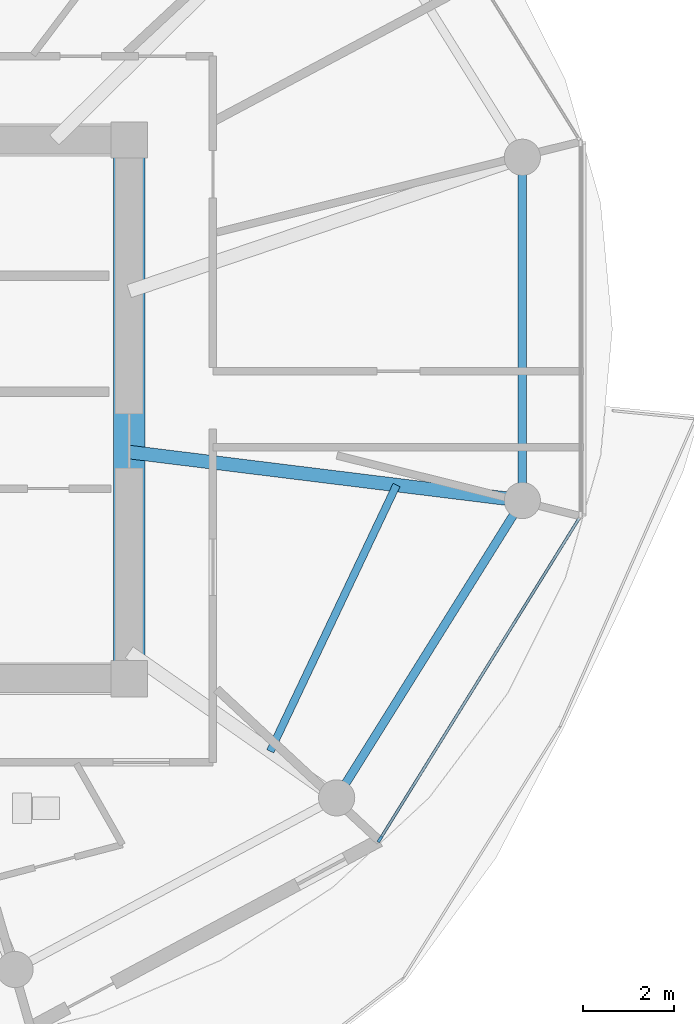
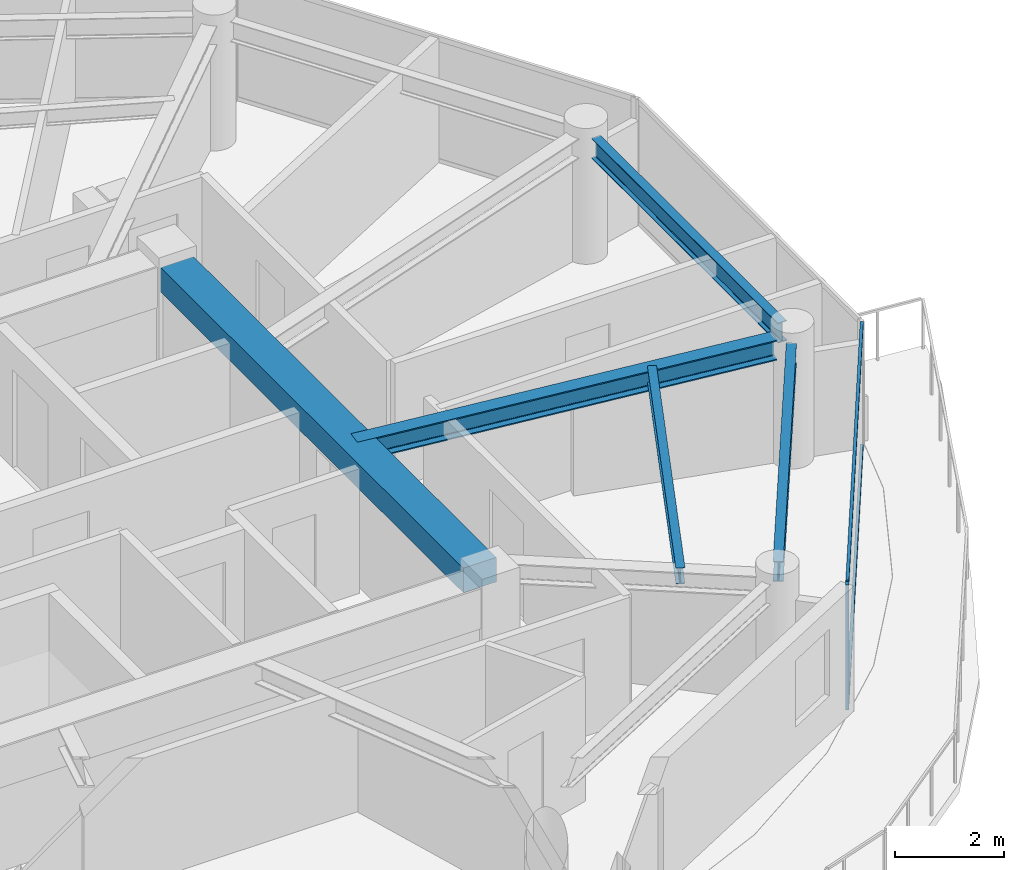
# One storey, part 3 of 23: 5 beams, 3 members, 1 element without a shape of its own.
"""IFC4 building model written with IfcOpenShell, lengths in metres."""

import ifcopenshell
import ifcopenshell.guid

model = None  # the IFC model being written
_history = None  # IfcOwnerHistory: only IFC2X3 demands one
_inside = {}  # id of a spatial element -> (the spatial element, [elements in it])
_under = {}  # id of a project, library or spatial element -> (it, [spatial elements below it])
_declared = {}  # id of a project -> (the project, [libraries it declares])
_typed = {}  # id of a type object -> (the type object, [elements of that type])
_made_of = {}  # id of a material, layer set ... -> (it, [elements and type objects made of it])


def new_model(schema):
    """Start an empty IFC model of exactly this schema.

    Asked for "IFC4X3", IfcOpenShell would pick the latest addendum, in which some entities
    have other attributes; the version numbers below select the first issue.
    IFC2X3 requires an IfcOwnerHistory on every rooted entity: one is made here for all.
    """
    global model, _history
    if schema == "IFC4X3":
        model = ifcopenshell.file(schema_version=(4, 3, 0, 0))
    else:
        model = ifcopenshell.file(schema=schema)
    _inside.clear()
    _under.clear()
    _declared.clear()
    _typed.clear()
    _made_of.clear()
    _history = None
    if model.schema == "IFC2X3":
        org = make("IfcOrganization", Name="unknown")
        user = make(
            "IfcPersonAndOrganization",
            ThePerson=make("IfcPerson", FamilyName="unknown"),
            TheOrganization=org,
        )
        app = make(
            "IfcApplication",
            ApplicationDeveloper=org,
            Version="unknown",
            ApplicationFullName="unknown",
            ApplicationIdentifier="unknown",
        )
        _history = make(
            "IfcOwnerHistory",
            OwningUser=user,
            OwningApplication=app,
            ChangeAction="ADDED",
            CreationDate=0,
        )
    return model


def make(cls, **values):
    """One entity of the class cls with the attributes given. An attribute that is None is left unset."""
    return model.create_entity(
        cls, **{name: value for name, value in values.items() if value is not None}
    )


def rooted(cls, **values):
    """An entity with a GlobalId (a new one), such as an element, a storey or a relation."""
    return make(cls, GlobalId=ifcopenshell.guid.new(), OwnerHistory=_history, **values)


def si_unit(unit_type, name, prefix=None):
    """IfcSIUnit, for example si_unit("LENGTHUNIT", "METRE", prefix="MILLI")."""
    return make("IfcSIUnit", UnitType=unit_type, Prefix=prefix, Name=name)


def assignment(units):
    """IfcUnitAssignment: the units of a project."""
    return None if units is None else make("IfcUnitAssignment", Units=units)


def point(xyz):
    """IfcCartesianPoint."""
    return None if xyz is None else make("IfcCartesianPoint", Coordinates=xyz)


def direction(xyz):
    """IfcDirection."""
    return None if xyz is None else make("IfcDirection", DirectionRatios=xyz)


def frame(location, z_axis=None, x_axis=None):
    """IfcAxis2Placement3D, a coordinate frame: its origin and axes. An axis left out is left unset."""
    return make(
        "IfcAxis2Placement3D",
        Location=point(location),
        Axis=direction(z_axis),
        RefDirection=direction(x_axis),
    )


def frame_2d(location, x_axis=None):
    """IfcAxis2Placement2D, a coordinate frame in the plane: its origin and x axis."""
    return make(
        "IfcAxis2Placement2D", Location=point(location), RefDirection=direction(x_axis)
    )


def origin():
    """The frame at (0, 0, 0) with its axes left unset."""
    return frame((0.0, 0.0, 0.0))


def origin_2d():
    """The frame at (0, 0) in the plane with its x axis left unset."""
    return frame_2d((0.0, 0.0))


def place(relative_to, where):
    """IfcLocalPlacement: puts the frame where relative to a parent placement (None: the world)."""
    return make(
        "IfcLocalPlacement", PlacementRelTo=relative_to, RelativePlacement=where
    )


def context(
    kind, dimensions, precision=None, world=None, true_north=None, identifier=None
):
    """IfcGeometricRepresentationContext, for example the 3D "Model" context."""
    return make(
        "IfcGeometricRepresentationContext",
        ContextIdentifier=identifier,
        ContextType=kind,
        CoordinateSpaceDimension=dimensions,
        Precision=precision,
        WorldCoordinateSystem=world,
        TrueNorth=true_north,
    )


def subcontext(parent, identifier, kind, view, scale=None):
    """IfcGeometricRepresentationSubContext, for example "Body" below "Model"."""
    return make(
        "IfcGeometricRepresentationSubContext",
        ContextIdentifier=identifier,
        ContextType=kind,
        ParentContext=parent,
        TargetScale=scale,
        TargetView=view,
    )


def project(units=None, contexts=None):
    """IfcProject with its units and contexts."""
    return rooted(
        "IfcProject",
        Name="project",
        RepresentationContexts=contexts,
        UnitsInContext=assignment(units),
    )


def spatial(cls, under=None, at=None, **own):
    """A site, building, storey or space (cls), placed at a placement, below another one or the project."""
    s = rooted(cls, ObjectPlacement=at, **own)
    if under is not None:
        _under.setdefault(under.id(), (under, []))[1].append(s)
    return s


def profile(cls, at=None, kind="AREA", **sizes):
    """A parametric profile (cls). Its sizes go by their IFC names, for example OverallWidth=200.0."""
    return make(cls, ProfileType=kind, Position=at, **sizes)


def rectangle(**sizes):
    """IfcRectangleProfileDef."""
    return profile("IfcRectangleProfileDef", **sizes)


def i_section(**sizes):
    """IfcIShapeProfileDef."""
    return profile("IfcIShapeProfileDef", **sizes)


def extrude(swept, where, along, depth):
    """IfcExtrudedAreaSolid: the profile swept, set in the frame where, extruded along a direction by depth."""
    return make(
        "IfcExtrudedAreaSolid",
        SweptArea=swept,
        Position=where,
        ExtrudedDirection=direction(along),
        Depth=depth,
    )


def shape(context_of_items, identifier, shape_type, items):
    """IfcShapeRepresentation: the items that make up one representation, for example the "Body"."""
    return make(
        "IfcShapeRepresentation",
        ContextOfItems=context_of_items,
        RepresentationIdentifier=identifier,
        RepresentationType=shape_type,
        Items=items,
    )


def source(mapping_origin, context_of_items, identifier, shape_type, items):
    """IfcRepresentationMap: a shape defined once, which mapped items show again and again."""
    return make(
        "IfcRepresentationMap",
        MappingOrigin=mapping_origin,
        MappedRepresentation=shape(context_of_items, identifier, shape_type, items),
    )


def transform(
    local_origin,
    x_axis=None,
    y_axis=None,
    z_axis=None,
    scale=None,
    scale2=None,
    scale3=None,
    uniform=True,
):
    """IfcCartesianTransformationOperator3D, or its non-uniform kind. x_axis, y_axis, z_axis: its Axis1, 2, 3."""
    if uniform:
        return make(
            "IfcCartesianTransformationOperator3D",
            Axis1=direction(x_axis),
            Axis2=direction(y_axis),
            LocalOrigin=point(local_origin),
            Scale=scale,
            Axis3=direction(z_axis),
        )
    return make(
        "IfcCartesianTransformationOperator3DnonUniform",
        Axis1=direction(x_axis),
        Axis2=direction(y_axis),
        LocalOrigin=point(local_origin),
        Scale=scale,
        Axis3=direction(z_axis),
        Scale2=scale2,
        Scale3=scale3,
    )


def mapped(mapping_source, mapping_target):
    """IfcMappedItem: shows the shape of a source again, moved by a transform."""
    return make(
        "IfcMappedItem", MappingSource=mapping_source, MappingTarget=mapping_target
    )


def material(Name=None, Category=None):
    """IfcMaterial."""
    return make("IfcMaterial", Name=Name, Category=Category)


def layer(
    of_material, thickness, ventilated=None, Name=None, Category=None, Priority=None
):
    """IfcMaterialLayer: one layer of a wall or slab, of a material (None: an air gap)."""
    return make(
        "IfcMaterialLayer",
        Material=of_material,
        LayerThickness=thickness,
        IsVentilated=ventilated,
        Name=Name,
        Category=Category,
        Priority=Priority,
    )


def layer_set(layers, Name=None):
    """IfcMaterialLayerSet."""
    return make("IfcMaterialLayerSet", MaterialLayers=layers, LayerSetName=Name)


def material_profile(
    of_material, cross_section, Name=None, Category=None, Priority=None
):
    """IfcMaterialProfile: a cross section and its material."""
    return make(
        "IfcMaterialProfile",
        Name=Name,
        Material=of_material,
        Profile=cross_section,
        Priority=Priority,
        Category=Category,
    )


def profile_set(profiles, Name=None, composite=None):
    """IfcMaterialProfileSet."""
    return make(
        "IfcMaterialProfileSet",
        Name=Name,
        MaterialProfiles=profiles,
        CompositeProfile=composite,
    )


def made_of(thing, what):
    """Note that an element or type object is made of a material, layer set ...; save() writes the relation."""
    if what is not None:
        _made_of.setdefault(what.id(), (what, []))[1].append(thing)
    return thing


def type_object(cls, material=None, **own):
    """A type object (cls), such as IfcWallType, which elements share."""
    return made_of(rooted(cls, **own), material)


def type_shapes(of_type, sources):
    """Give a type object the sources (RepresentationMaps) that its elements show as mapped items."""
    of_type.RepresentationMaps = sources


def element(
    cls,
    number,
    at=None,
    inside=None,
    cuts=None,
    type_object=None,
    material=None,
    context=None,
    identifier="Body",
    shape_type=None,
    held_by="IfcProductDefinitionShape",
    body=None,
    shapes=None,
    **own,
):
    """One element of the class cls, such as IfcWall. Its Tag is "e" and its number.

    at: its placement. inside: the storey or other place that contains it. cuts: it is an
    opening in that element (IfcRelVoidsElement). A single representation is given by context,
    identifier, shape_type and body (its items); several are given by shapes. held_by: the class
    of the entity that holds the representations. save() writes the other relations.
    """
    e = rooted(cls, Tag="e%d" % number, ObjectPlacement=at, **own)
    if body is not None:
        shapes = [shape(context, identifier, shape_type, body)]
    if shapes is not None:
        e.Representation = make(held_by, Representations=shapes)
    if inside is not None:
        _inside.setdefault(inside.id(), (inside, []))[1].append(e)
    if cuts is not None:
        rooted(
            "IfcRelVoidsElement", RelatingBuildingElement=cuts, RelatedOpeningElement=e
        )
    if type_object is not None:
        _typed.setdefault(type_object.id(), (type_object, []))[1].append(e)
    return made_of(e, material)


def aggregate(whole, parts):
    """IfcRelAggregates: a whole, such as a stair, and the parts it consists of."""
    return rooted("IfcRelAggregates", RelatingObject=whole, RelatedObjects=parts)


def save(model, path):
    """Write the relations noted so far, then the file.

    IfcRelAggregates (storeys below a building ...), IfcRelContainedInSpatialStructure (elements
    in a storey), IfcRelDefinesByType, IfcRelAssociatesMaterial and IfcRelDeclares: one each for
    every whole, place, type object, material and project.
    """
    for whole, parts in _under.values():
        aggregate(whole, parts)
    for where, things in _inside.values():
        rooted(
            "IfcRelContainedInSpatialStructure",
            RelatedElements=things,
            RelatingStructure=where,
        )
    for kind, things in _typed.values():
        rooted("IfcRelDefinesByType", RelatedObjects=things, RelatingType=kind)
    for what, things in _made_of.values():
        rooted("IfcRelAssociatesMaterial", RelatedObjects=things, RelatingMaterial=what)
    for by, libraries in _declared.values():
        rooted("IfcRelDeclares", RelatingContext=by, RelatedDefinitions=libraries)
    model.write(path)


model = new_model("IFC4")

# Units and contexts
model_context = context("Model", 3, precision=1e-05, world=origin(), true_north=direction((0.0, 1.0)))
body_context = subcontext(model_context, "Body", "Model", "MODEL_VIEW")
ifc_project = project(units=[si_unit("LENGTHUNIT", "METRE"), si_unit("AREAUNIT", "SQUARE_METRE"), si_unit("VOLUMEUNIT", "CUBIC_METRE"), si_unit("PLANEANGLEUNIT", "RADIAN"), si_unit("MASSUNIT", "GRAM", prefix="KILO")], contexts=[model_context])

# Site, building, storey
site_placement = place(None, origin())
site = spatial("IfcSite", under=ifc_project, at=site_placement, CompositionType="ELEMENT")
building_placement = place(site_placement, origin())
building = spatial("IfcBuilding", under=site, at=building_placement, Name="Norrkilde Senior Care Towers", CompositionType="ELEMENT")
storey_placement = place(building_placement, frame((0.0, 0.0, 177.0)))
storey = spatial("IfcBuildingStorey", under=building, at=storey_placement, Name="L55", CompositionType="ELEMENT", Elevation=177.0)

# Beams
ifc_material_1 = material(Name="Concrete C60/75", Category="concrete")
ifc_material_profile_1 = material_profile(ifc_material_1, rectangle(XDim=0.699951171875, YDim=0.550048828125, at=origin_2d()), Name="RC BM 700x550")
ifc_profile_set_1 = profile_set([ifc_material_profile_1], Name="Concrete C60/75")
beam_type_1 = type_object("IfcBeamType", Name="Core Portal Coupling Beam 700x550", PredefinedType="USERDEFINED", material=ifc_profile_set_1)
shared_shape_1 = source(origin(), body_context, "Body", "SweptSolid", [
    extrude(rectangle(XDim=0.699951171875, YDim=0.550048828125, at=origin_2d()), origin(), (0.0, 0.0, 1.0), 11.14013671875),
])
type_shapes(beam_type_1, [shared_shape_1])
beam_1_placement = place(storey_placement, frame((-20.35009765625, -5.570068359375, 2.534912109375), z_axis=(0.0, 1.0, 0.0), x_axis=(-1.0, 0.0, 0.0)))
element("IfcBeam", 1, at=beam_1_placement, inside=storey, type_object=beam_type_1, Name="L55 Core W E Coupling Girder", ObjectType="GIRDER", PredefinedType="USERDEFINED", context=body_context, shape_type="MappedRepresentation", body=[
    mapped(shared_shape_1, transform((0.0, 0.0, 0.0), x_axis=(1.0, 0.0, 0.0), y_axis=(0.0, 1.0, 0.0), z_axis=(0.0, 0.0, 1.0), scale=1.0)),
])
ifc_material_2 = material(Name="Steel S355", Category="steel")
ifc_material_profile_2 = material_profile(ifc_material_2, i_section(OverallWidth=0.18994140625, OverallDepth=0.449951171875, WebThickness=0.009521484375, FlangeThickness=0.0146484375, FilletRadius=0.02099609375, at=origin_2d()), Name="IPE 450")
ifc_profile_set_2 = profile_set([ifc_material_profile_2], Name="Steel S355")
beam_type_2 = type_object("IfcBeamType", Name="Perimeter Ring Spandrel Z3 IPE450", PredefinedType="SPANDREL", material=ifc_profile_set_2)
shared_shape_2 = source(origin(), body_context, "Body", "SweptSolid", [
    extrude(i_section(OverallWidth=0.18994140625, OverallDepth=0.449951171875, WebThickness=0.009521484375, FlangeThickness=0.0146484375, FilletRadius=0.02099609375, at=origin_2d()), origin(), (0.0, 0.0, 1.0), 6.86328125),
])
beam_2_placement = place(storey_placement, frame((-11.6650390625, -1.65625, 2.5849609375), z_axis=(0.0, 1.0, 0.0), x_axis=(-1.0, 0.0, 0.0)))
element("IfcBeam", 2, at=beam_2_placement, inside=storey, type_object=beam_type_2, Name="L55 Drum W Perimeter Spandrel 12", PredefinedType="SPANDREL", context=body_context, shape_type="MappedRepresentation", body=[
    mapped(shared_shape_2, transform((0.0, 0.0, 0.0), x_axis=(1.0, 0.0, 0.0), y_axis=(0.0, 1.0, 0.0), z_axis=(0.0, 0.0, 1.0), scale=1.0)),
])
shared_shape_3 = source(origin(), body_context, "Body", "SweptSolid", [
    extrude(i_section(OverallWidth=0.18994140625, OverallDepth=0.449951171875, WebThickness=0.009521484375, FlangeThickness=0.0146484375, FilletRadius=0.02099609375, at=origin_2d()), origin(), (0.0, 0.0, 1.0), 7.023193359375),
])
type_shapes(beam_type_2, [shared_shape_2, shared_shape_3])
beam_3_placement = place(storey_placement, frame((-15.57666015625, -8.2783203125, 2.5849609375), z_axis=(0.529805197269, 0.848119362441, 0.0), x_axis=(-0.848119362441, 0.529805197269, 0.0)))
element("IfcBeam", 3, at=beam_3_placement, inside=storey, type_object=beam_type_2, Name="L55 Drum W Perimeter Spandrel 11", PredefinedType="SPANDREL", context=body_context, shape_type="MappedRepresentation", body=[
    mapped(shared_shape_3, transform((0.0, 0.0, 0.0), x_axis=(1.0, 0.0, 0.0), y_axis=(0.0, 1.0, 0.0), z_axis=(0.0, 0.0, 1.0), scale=1.0)),
])
ifc_material_profile_3 = material_profile(ifc_material_2, i_section(OverallWidth=0.300048828125, OverallDepth=0.449951171875, WebThickness=0.013916015625, FlangeThickness=0.02587890625, FilletRadius=0.027099609375, at=origin_2d()), Name="HEB 450")
ifc_profile_set_3 = profile_set([ifc_material_profile_3], Name="Steel S355")
beam_type_3 = type_object("IfcBeamType", Name="Radial Floor Beam Z3 HEB450", PredefinedType="BEAM", material=ifc_profile_set_3)
shared_shape_4 = source(origin(), body_context, "Body", "SweptSolid", [
    extrude(i_section(OverallWidth=0.300048828125, OverallDepth=0.449951171875, WebThickness=0.013916015625, FlangeThickness=0.02587890625, FilletRadius=0.027099609375, at=origin_2d()), origin(), (0.0, 0.0, 1.0), 8.390869140625),
])
type_shapes(beam_type_3, [shared_shape_4])
beam_4_placement = place(storey_placement, frame((-20.35009765625, -0.9443359375, 2.5849609375), z_axis=(0.99246916403, -0.122494728249, 0.0), x_axis=(0.122494728249, 0.99246916403, 0.0)))
element("IfcBeam", 4, at=beam_4_placement, inside=storey, type_object=beam_type_3, Name="L55 Drum W Radial Floor Beam 12", PredefinedType="BEAM", context=body_context, shape_type="MappedRepresentation", body=[
    mapped(shared_shape_4, transform((0.0, 0.0, 0.0), x_axis=(1.0, 0.0, 0.0), y_axis=(0.0, 1.0, 0.0), z_axis=(0.0, 0.0, 1.0), scale=1.0)),
])
ifc_material_profile_4 = material_profile(ifc_material_2, i_section(OverallWidth=0.169921875, OverallDepth=0.360107421875, WebThickness=0.008056640625, FlangeThickness=0.0126953125, FilletRadius=0.01806640625, at=origin_2d()), Name="IPE 360")
ifc_profile_set_4 = profile_set([ifc_material_profile_4], Name="Steel S355")
beam_type_4 = type_object("IfcBeamType", Name="Secondary Floor Joist IPE360", PredefinedType="JOIST", material=ifc_profile_set_4)
shared_shape_5 = source(origin(), body_context, "Body", "SweptSolid", [
    extrude(i_section(OverallWidth=0.169921875, OverallDepth=0.360107421875, WebThickness=0.008056640625, FlangeThickness=0.0126953125, FilletRadius=0.01806640625, at=origin_2d()), origin(), (0.0, 0.0, 1.0), 6.50927734375),
])
type_shapes(beam_type_4, [shared_shape_5])
beam_5_placement = place(storey_placement, frame((-17.23388671875, -7.5546875, 2.6298828125), z_axis=(0.428544169129, 0.90352083269, 0.0), x_axis=(-0.90352083269, 0.428544169129, 0.0)))
element("IfcBeam", 5, at=beam_5_placement, inside=storey, type_object=beam_type_4, Name="L55 Drum W Secondary Floor Joist 4", PredefinedType="JOIST", context=body_context, shape_type="MappedRepresentation", body=[
    mapped(shared_shape_5, transform((0.0, 0.0, 0.0), x_axis=(1.0, 0.0, 0.0), y_axis=(0.0, 1.0, 0.0), z_axis=(0.0, 0.0, 1.0), scale=1.0)),
])

# Curtain wall, members
ifc_material_3 = material(Name="Triple Low-E Insulated Glazing", Category="glass")
ifc_layer = layer(ifc_material_3, 0.18994140625)
ifc_layer_set = layer_set([ifc_layer], Name="Triple Low-E Insulated Glazing")
curtain_wall_type = type_object("IfcCurtainWallType", Name="CW4 Zone 3 Senior Residence Curtain Wall", PredefinedType="NOTDEFINED", material=ifc_layer_set)
curtain_wall_placement = place(storey_placement, origin())
curtain_wall = element("IfcCurtainWall", 6, at=curtain_wall_placement, inside=storey, type_object=curtain_wall_type, Name="L55 Drum W Curtain Wall 10", PredefinedType="NOTDEFINED")
ifc_material_4 = material(Name="Anodised Aluminium", Category="aluminium")
ifc_material_profile_5 = material_profile(ifc_material_4, rectangle(XDim=0.06494140625, YDim=0.14990234375, at=origin_2d()), Name="ALU MULL 65x150")
ifc_profile_set_5 = profile_set([ifc_material_profile_5], Name="Anodised Aluminium")
member_type_1 = type_object("IfcMemberType", Name="Curtain Wall Mullion Z3-Z4 65x150", PredefinedType="MULLION", material=ifc_profile_set_5)
shared_shape_6 = source(origin(), body_context, "Body", "SweptSolid", [
    extrude(rectangle(XDim=0.06494140625, YDim=0.14990234375, at=origin_2d()), origin(), (0.0, 0.0, 1.0), 2.81005859375),
])
type_shapes(member_type_1, [shared_shape_6])
member_1_placement = place(storey_placement, frame((-14.809814453125, -9.49658203125, 0.0), z_axis=(0.0, 0.0, 1.0), x_axis=(0.84963405474, -0.52737270789, 0.0)))
member_1 = element("IfcMember", 7, at=member_1_placement, type_object=member_type_1, Name="CW-4 mullion 2", PredefinedType="MULLION", context=body_context, shape_type="MappedRepresentation", body=[
    mapped(shared_shape_6, transform((0.0, 0.0, 0.0), x_axis=(1.0, 0.0, 0.0), y_axis=(0.0, 1.0, 0.0), z_axis=(0.0, 0.0, 1.0), scale=1.0)),
])
ifc_material_profile_6 = material_profile(ifc_material_4, rectangle(XDim=0.06005859375, YDim=0.1201171875, at=origin_2d()), Name="ALU TRAN 60x120")
ifc_profile_set_6 = profile_set([ifc_material_profile_6], Name="Anodised Aluminium")
member_type_2 = type_object("IfcMemberType", Name="Curtain Wall Transom Typical 60x120", PredefinedType="USERDEFINED", material=ifc_profile_set_6)
shared_shape_7 = source(origin(), body_context, "Body", "SweptSolid", [
    extrude(rectangle(XDim=0.06005859375, YDim=0.1201171875, at=origin_2d()), origin(), (0.0, 0.0, 1.0), 8.301513671875),
])
type_shapes(member_type_2, [shared_shape_7])
member_2_placement = place(storey_placement, frame((-10.414794921875, -2.415771484375, 0.030029296875), z_axis=(-0.527368718394, -0.849636531029, 0.0), x_axis=(0.849636531029, -0.527368718394, 0.0)))
member_2 = element("IfcMember", 8, at=member_2_placement, type_object=member_type_2, Name="CW-4 transom 1.1", ObjectType="TRANSOM", PredefinedType="USERDEFINED", context=body_context, shape_type="MappedRepresentation", body=[
    mapped(shared_shape_7, transform((0.0, 0.0, 0.0), x_axis=(1.0, 0.0, 0.0), y_axis=(0.0, 1.0, 0.0), z_axis=(0.0, 0.0, 1.0), scale=1.0)),
])
member_3_placement = place(storey_placement, frame((-10.414794921875, -2.415771484375, 2.780029296875), z_axis=(-0.527368718394, -0.849636531029, 0.0), x_axis=(0.849636531029, -0.527368718394, 0.0)))
member_3 = element("IfcMember", 9, at=member_3_placement, type_object=member_type_2, Name="CW-4 transom 1.2", ObjectType="TRANSOM", PredefinedType="USERDEFINED", context=body_context, shape_type="MappedRepresentation", body=[
    mapped(shared_shape_7, transform((0.0, 0.0, 0.0), x_axis=(1.0, 0.0, 0.0), y_axis=(0.0, 1.0, 0.0), z_axis=(0.0, 0.0, 1.0), scale=1.0)),
])
aggregate(curtain_wall, [member_1, member_2, member_3])

save(model, "model.ifc")
